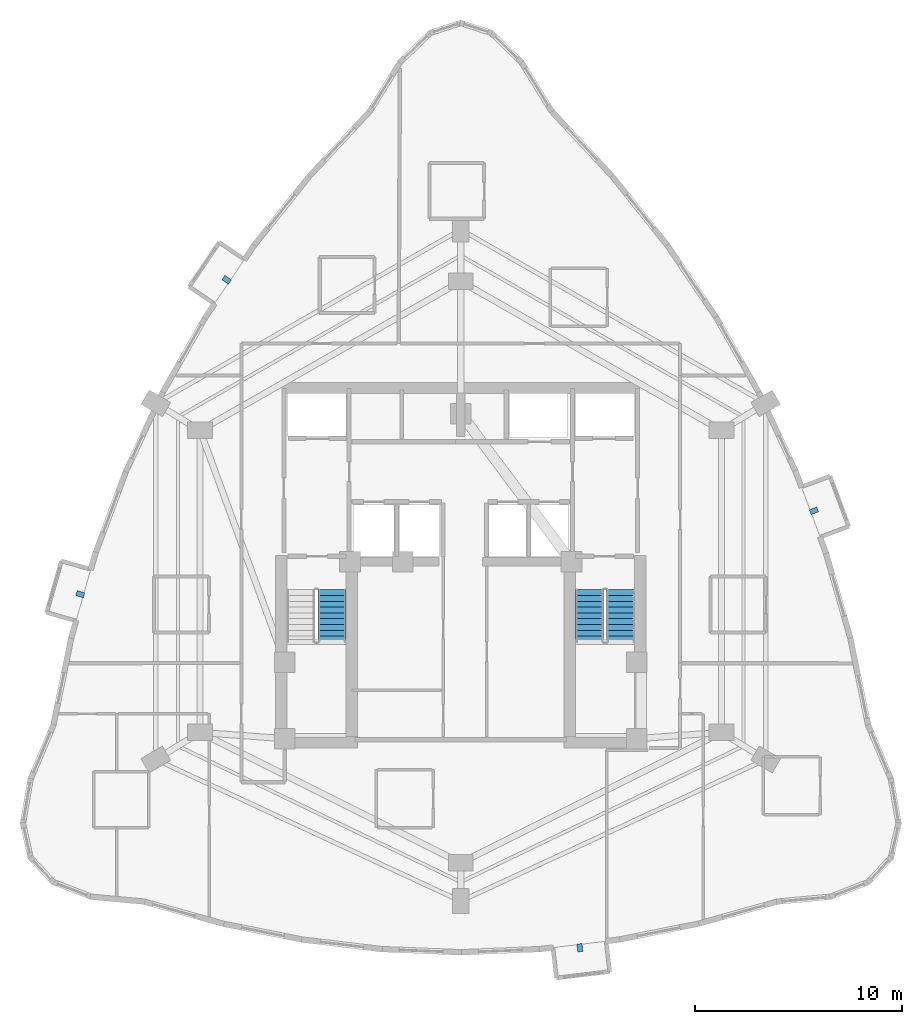
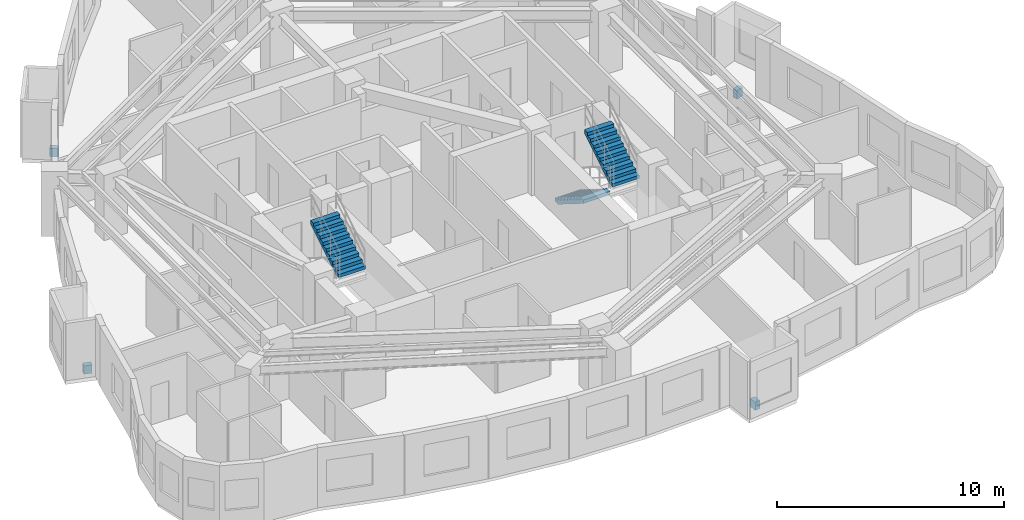
# One storey, part 9 of 10: 4 discrete accessories, 3 stair flights, 2 elements without a shape of their own.
"""IFC4 building model written with IfcOpenShell, lengths in metres."""

from ifc_helpers import new_model, si_unit, direction, frame, origin, origin_2d, place, context, subcontext, project, spatial, polyline, rectangle, outline, extrude, material, type_object, element, aggregate, save


model = new_model("IFC4")

# Units and contexts
model_context = context("Model", 3, precision=1e-05, world=origin(), true_north=direction((0.0, 1.0)))
body_context = subcontext(model_context, "Body", "Model", "MODEL_VIEW")
ifc_project = project(units=[si_unit("LENGTHUNIT", "METRE"), si_unit("AREAUNIT", "SQUARE_METRE"), si_unit("VOLUMEUNIT", "CUBIC_METRE"), si_unit("PLANEANGLEUNIT", "RADIAN"), si_unit("MASSUNIT", "GRAM", prefix="KILO")], contexts=[model_context])

# Site, building, storey
site_placement = place(None, origin())
site = spatial("IfcSite", under=ifc_project, at=site_placement, CompositionType="ELEMENT")
building_placement = place(site_placement, origin())
building = spatial("IfcBuilding", under=site, at=building_placement, Name="Miruveldt Soraemaru", CompositionType="ELEMENT")
storey_placement = place(building_placement, frame((0.0, 0.0, 173.89990234375)))
storey = spatial("IfcBuildingStorey", under=building, at=storey_placement, Name="L48", CompositionType="ELEMENT", Elevation=173.89990234375)

# Stair, stair flight
ifc_material_1 = material(Name="Concrete C40/50 (40 MPa)", Category="concrete")
stair_type = type_object("IfcStairType", Name="STAIR-DL-350", PredefinedType="HALF_TURN_STAIR", material=ifc_material_1)
stair_1_placement = place(storey_placement, origin())
stair_1 = element("IfcStair", 1, at=stair_1_placement, inside=storey, type_object=stair_type, Name="L48 Protected Exit Stair ST-1", PredefinedType="HALF_TURN_STAIR")
stair_flight_type = type_object("IfcStairFlightType", Name="SFL-DL-350", PredefinedType="STRAIGHT", material=ifc_material_1)
stair_flight_1_placement = place(storey_placement, frame((37.77490234375, 40.179931640625, 1.75), z_axis=(0.0, 0.0, 1.0), x_axis=(0.0, 1.0, 0.0)))
stair_flight_1 = element("IfcStairFlight", 2, at=stair_flight_1_placement, type_object=stair_flight_type, Name="ST-1 flight 2", NumberOfRisers=10, NumberOfTreads=9, PredefinedType="STRAIGHT", RiserHeight=0.175, TreadLength=0.28, context=body_context, shape_type="SweptSolid", body=[
    extrude(outline(polyline([(0.0, 0.0), (0.0, 0.175048828125), (0.280029296875, 0.175048828125), (0.280029296875, 0.35009765625), (0.56005859375, 0.35009765625), (0.56005859375, 0.52490234375), (0.840087890625, 0.52490234375), (0.840087890625, 0.699951171875), (1.1201171875, 0.699951171875), (1.1201171875, 0.875), (1.39990234375, 0.875), (1.39990234375, 1.050048828125), (1.679931640625, 1.050048828125), (1.679931640625, 1.22509765625), (1.9599609375, 1.22509765625), (1.9599609375, 1.39990234375), (2.239990234375, 1.39990234375), (2.239990234375, 1.574951171875), (2.52001953125, 1.574951171875), (2.52001953125, 1.75), (2.52001953125, 1.386474609375), (0.3017578125, 0.0), (0.0, 0.0)])), frame((0.0, 0.675048828125, 0.0), z_axis=(0.0, -1.0, 0.0), x_axis=(1.0, 0.0, 0.0)), (0.0, 0.0, 1.0), 1.35009765625),
])
aggregate(stair_1, [stair_flight_1])

# Stair, stair flights
stair_2_placement = place(storey_placement, origin())
stair_2 = element("IfcStair", 3, at=stair_2_placement, inside=storey, type_object=stair_type, Name="L48 Protected Exit Stair ST-2", PredefinedType="HALF_TURN_STAIR")
stair_flight_2_placement = place(storey_placement, frame((50.22509765625, 42.699951171875, 0.0), z_axis=(0.0, 0.0, 1.0), x_axis=(0.0, -1.0, 0.0)))
stair_flight_2 = element("IfcStairFlight", 4, at=stair_flight_2_placement, type_object=stair_flight_type, Name="ST-2 flight 1", NumberOfRisers=10, NumberOfTreads=9, PredefinedType="STRAIGHT", RiserHeight=0.175, TreadLength=0.28, context=body_context, shape_type="SweptSolid", body=[
    extrude(outline(polyline([(0.0, 0.0), (0.0, 0.175048828125), (0.280029296875, 0.175048828125), (0.280029296875, 0.35009765625), (0.56005859375, 0.35009765625), (0.56005859375, 0.52490234375), (0.840087890625, 0.52490234375), (0.840087890625, 0.699951171875), (1.1201171875, 0.699951171875), (1.1201171875, 0.875), (1.39990234375, 0.875), (1.39990234375, 1.050048828125), (1.679931640625, 1.050048828125), (1.679931640625, 1.22509765625), (1.9599609375, 1.22509765625), (1.9599609375, 1.39990234375), (2.239990234375, 1.39990234375), (2.239990234375, 1.574951171875), (2.52001953125, 1.574951171875), (2.52001953125, 1.75), (2.52001953125, 1.386474609375), (0.3017578125, 0.0), (0.0, 0.0)])), frame((0.0, 0.675048828125, 0.0), z_axis=(0.0, -1.0, 0.0), x_axis=(1.0, 0.0, 0.0)), (0.0, 0.0, 1.0), 1.35009765625),
])
stair_flight_3_placement = place(storey_placement, frame((51.72509765625, 40.179931640625, 1.75), z_axis=(0.0, 0.0, 1.0), x_axis=(0.0, 1.0, 0.0)))
stair_flight_3 = element("IfcStairFlight", 5, at=stair_flight_3_placement, type_object=stair_flight_type, Name="ST-2 flight 2", NumberOfRisers=10, NumberOfTreads=9, PredefinedType="STRAIGHT", RiserHeight=0.175, TreadLength=0.28, context=body_context, shape_type="SweptSolid", body=[
    extrude(outline(polyline([(0.0, 0.0), (0.0, 0.175048828125), (0.280029296875, 0.175048828125), (0.280029296875, 0.35009765625), (0.56005859375, 0.35009765625), (0.56005859375, 0.52490234375), (0.840087890625, 0.52490234375), (0.840087890625, 0.699951171875), (1.1201171875, 0.699951171875), (1.1201171875, 0.875), (1.39990234375, 0.875), (1.39990234375, 1.050048828125), (1.679931640625, 1.050048828125), (1.679931640625, 1.22509765625), (1.9599609375, 1.22509765625), (1.9599609375, 1.39990234375), (2.239990234375, 1.39990234375), (2.239990234375, 1.574951171875), (2.52001953125, 1.574951171875), (2.52001953125, 1.75), (2.52001953125, 1.386474609375), (0.3017578125, 0.0), (0.0, 0.0)])), frame((0.0, 0.675048828125, 0.0), z_axis=(0.0, -1.0, 0.0), x_axis=(1.0, 0.0, 0.0)), (0.0, 0.0, 1.0), 1.35009765625),
])
aggregate(stair_2, [stair_flight_2, stair_flight_3])

# Discrete accessories
ifc_material_2 = material(Name="Steel SM355 (355 MPa)", Category="steel")
discrete_accessory_type = type_object("IfcDiscreteAccessoryType", Name="ACC-BAY-BRK", PredefinedType="BRACKET", material=ifc_material_2)
for number, where, z_axis, x_axis, name in (
    (6, (32.68701171875, 57.678466796875, -0.7099609375), (0.0, 0.0, 1.0), (-0.827923319955, 0.560841311134, 0.0), "L48 Bay Window Cantilever Bracket 1"),
    (7, (25.607666015625, 42.483154296875, -0.7099609375), (0.0, 0.0, 1.0), (-0.961449093633, 0.274982981932, 0.0), "L48 Bay Window Cantilever Bracket 2"),
    (8, (49.7578125, 25.396240234375, -0.7099609375), (0.0, 0.0, 1.0), (0.119149147143, -0.992876367296, 0.0), "L48 Bay Window Cantilever Bracket 3"),
    (9, (61.0693359375, 46.511962890625, -0.7099609375), (0.0, 0.0, 1.0), (0.93711153314, 0.349030048069, 0.0), "L48 Bay Window Cantilever Bracket 4"),
):
    element("IfcDiscreteAccessory", number, at=place(storey_placement, frame(where, z_axis=z_axis, x_axis=x_axis)), inside=storey, type_object=discrete_accessory_type, Name=name, PredefinedType="BRACKET", context=body_context, shape_type="SweptSolid", body=[
        extrude(rectangle(XDim=0.3798828125, YDim=0.25, at=origin_2d()), origin(), (0.0, 0.0, 1.0), 0.449951171875),
    ])

save(model, "model.ifc")
